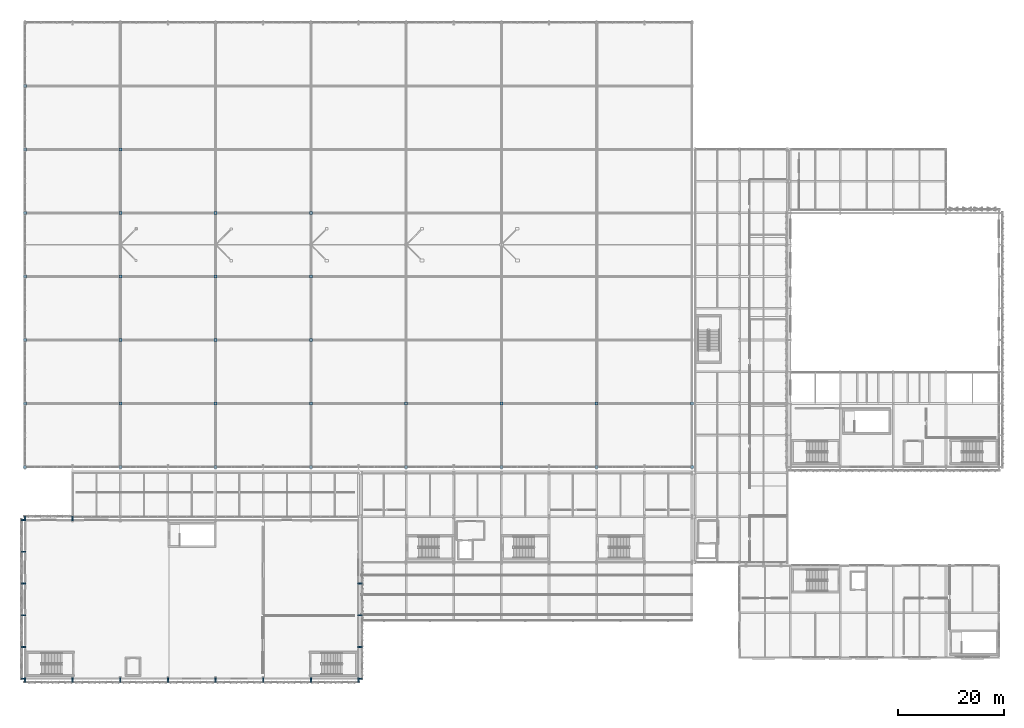
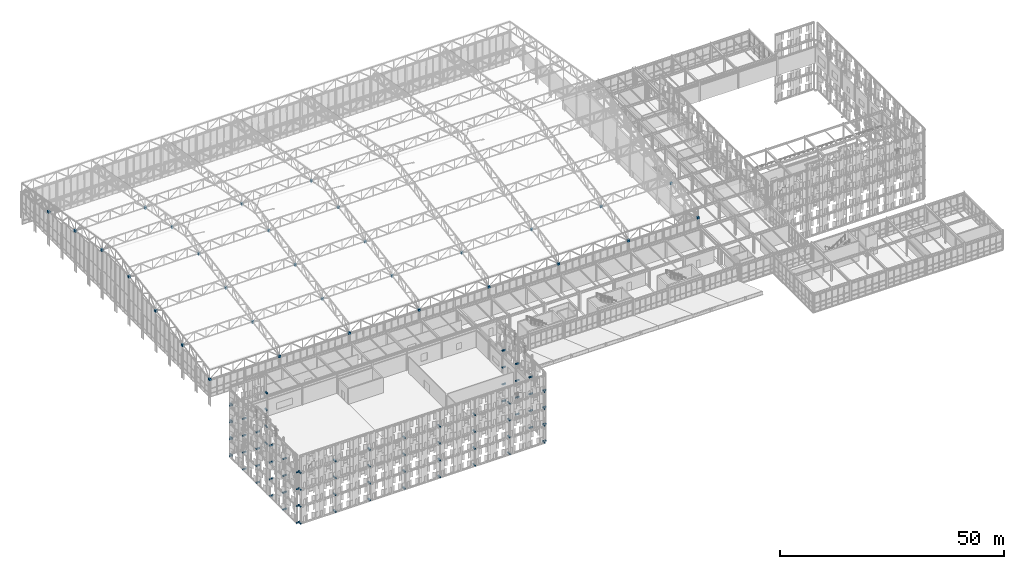
# One storey, part 211 of 239: 111 discrete accessories.
"""IFC4 building model written with IfcOpenShell, lengths in metres."""

from ifc_helpers import new_model, si_unit, direction, frame, origin, origin_2d, place, context, subcontext, project, spatial, rectangle, extrude, material, type_object, element, save


model = new_model("IFC4")

# Units and contexts
model_context = context("Model", 3, precision=1e-05, world=origin(), true_north=direction((0.0, 1.0)))
body_context = subcontext(model_context, "Body", "Model", "MODEL_VIEW")
ifc_project = project(units=[si_unit("LENGTHUNIT", "METRE"), si_unit("AREAUNIT", "SQUARE_METRE"), si_unit("VOLUMEUNIT", "CUBIC_METRE"), si_unit("PLANEANGLEUNIT", "RADIAN"), si_unit("MASSUNIT", "GRAM", prefix="KILO")], contexts=[model_context])

# Site, building, storey
site_placement = place(None, origin())
site = spatial("IfcSite", under=ifc_project, at=site_placement, CompositionType="ELEMENT")
building_placement = place(site_placement, origin())
building = spatial("IfcBuilding", under=site, at=building_placement, Name="Kaldris Quays Convention Centre", CompositionType="ELEMENT")
storey_placement = place(building_placement, frame((0.0, 0.0, 11.39990234375)))
storey = spatial("IfcBuildingStorey", under=building, at=storey_placement, Name="L02", CompositionType="ELEMENT", Elevation=11.39990234375)

# Discrete accessories
ifc_material = material(Name="Steel S355J2", Category="steel")
discrete_accessory_type_1 = type_object("IfcDiscreteAccessoryType", Name="CAST STEEL HUB SHOE HS01", PredefinedType="SHOE", material=ifc_material)
for number, where, z_axis, x_axis, name in (
    (1, (20.0, 56.0, 6.891845703125), (0.0, 0.0, 1.0), (1.0, 0.0, 0.0), "SF-V1 Bottom Hub Shoe 1"),
    (2, (20.0, 68.0, 8.948974609375), (0.0, 0.0, 1.0), (1.0, 0.0, 0.0), "SF-V1 Bottom Hub Shoe 2"),
    (3, (20.0, 80.0, 11.006103515625), (0.0, 0.0, 1.0), (1.0, 0.0, 0.0), "SF-V1 Bottom Hub Shoe 3"),
    (4, (20.0, 92.0, 13.063232421875), (0.0, 0.0, 1.0), (1.0, 0.0, 0.0), "SF-V1 Bottom Hub Shoe 4"),
    (5, (20.0, 104.0, 13.063232421875), (0.0, 0.0, 1.0), (1.0, 0.0, 0.0), "SF-V1 Bottom Hub Shoe 5"),
    (6, (20.0, 116.0, 11.006103515625), (0.0, 0.0, 1.0), (1.0, 0.0, 0.0), "SF-V1 Bottom Hub Shoe 6"),
    (7, (20.0, 128.0, 8.948974609375), (0.0, 0.0, 1.0), (1.0, 0.0, 0.0), "SF-V1 Bottom Hub Shoe 7"),
    (8, (38.0, 56.0, 6.891845703125), (0.0, 0.0, 1.0), (1.0, 0.0, 0.0), "SF-V1 Bottom Hub Shoe 9"),
    (9, (38.0, 68.0, 8.948974609375), (0.0, 0.0, 1.0), (1.0, 0.0, 0.0), "SF-V1 Bottom Hub Shoe 10"),
    (10, (38.0, 80.0, 11.006103515625), (0.0, 0.0, 1.0), (1.0, 0.0, 0.0), "SF-V1 Bottom Hub Shoe 11"),
    (11, (38.0, 92.0, 13.063232421875), (0.0, 0.0, 1.0), (1.0, 0.0, 0.0), "SF-V1 Bottom Hub Shoe 12"),
    (12, (38.0, 104.0, 13.063232421875), (0.0, 0.0, 1.0), (1.0, 0.0, 0.0), "SF-V1 Bottom Hub Shoe 13"),
    (13, (38.0, 116.0, 11.006103515625), (0.0, 0.0, 1.0), (1.0, 0.0, 0.0), "SF-V1 Bottom Hub Shoe 14"),
    (14, (56.0, 56.0, 6.891845703125), (0.0, 0.0, 1.0), (1.0, 0.0, 0.0), "SF-V1 Bottom Hub Shoe 17"),
    (15, (56.0, 68.0, 8.948974609375), (0.0, 0.0, 1.0), (1.0, 0.0, 0.0), "SF-V1 Bottom Hub Shoe 18"),
    (16, (56.0, 80.0, 11.006103515625), (0.0, 0.0, 1.0), (1.0, 0.0, 0.0), "SF-V1 Bottom Hub Shoe 19"),
    (17, (56.0, 92.0, 13.063232421875), (0.0, 0.0, 1.0), (1.0, 0.0, 0.0), "SF-V1 Bottom Hub Shoe 20"),
    (18, (56.0, 104.0, 13.063232421875), (0.0, 0.0, 1.0), (1.0, 0.0, 0.0), "SF-V1 Bottom Hub Shoe 21"),
    (19, (74.0, 56.0, 6.891845703125), (0.0, 0.0, 1.0), (1.0, 0.0, 0.0), "SF-V1 Bottom Hub Shoe 25"),
    (20, (74.0, 68.0, 8.948974609375), (0.0, 0.0, 1.0), (1.0, 0.0, 0.0), "SF-V1 Bottom Hub Shoe 26"),
    (21, (74.0, 80.0, 11.006103515625), (0.0, 0.0, 1.0), (1.0, 0.0, 0.0), "SF-V1 Bottom Hub Shoe 27"),
    (22, (74.0, 92.0, 13.063232421875), (0.0, 0.0, 1.0), (1.0, 0.0, 0.0), "SF-V1 Bottom Hub Shoe 28"),
    (23, (74.0, 104.0, 13.063232421875), (0.0, 0.0, 1.0), (1.0, 0.0, 0.0), "SF-V1 Bottom Hub Shoe 29"),
    (24, (92.0, 56.0, 6.891845703125), (0.0, 0.0, 1.0), (1.0, 0.0, 0.0), "SF-V1 Bottom Hub Shoe 33"),
    (25, (92.0, 68.0, 8.948974609375), (0.0, 0.0, 1.0), (1.0, 0.0, 0.0), "SF-V1 Bottom Hub Shoe 34"),
    (26, (110.0, 56.0, 6.891845703125), (0.0, 0.0, 1.0), (1.0, 0.0, 0.0), "SF-V1 Bottom Hub Shoe 41"),
    (27, (110.0, 68.0, 8.948974609375), (0.0, 0.0, 1.0), (1.0, 0.0, 0.0), "SF-V1 Bottom Hub Shoe 42"),
    (28, (128.0, 56.0, 6.891845703125), (0.0, 0.0, 1.0), (1.0, 0.0, 0.0), "SF-V1 Bottom Hub Shoe 49"),
    (29, (128.0, 68.0, 8.948974609375), (0.0, 0.0, 1.0), (1.0, 0.0, 0.0), "SF-V1 Bottom Hub Shoe 50"),
    (30, (146.0, 56.0, 6.891845703125), (0.0, 0.0, 1.0), (1.0, 0.0, 0.0), "SF-V1 Bottom Hub Shoe 57"),
    (31, (146.0, 68.0, 8.948974609375), (0.0, 0.0, 1.0), (1.0, 0.0, 0.0), "SF-V1 Bottom Hub Shoe 58"),
):
    element("IfcDiscreteAccessory", number, at=place(storey_placement, frame(where, z_axis=z_axis, x_axis=x_axis)), inside=storey, type_object=discrete_accessory_type_1, Name=name, PredefinedType="SHOE", context=body_context, shape_type="SweptSolid", body=[
        extrude(rectangle(XDim=0.56005859375, YDim=0.56005859375, at=origin_2d()), origin(), (0.0, 0.0, 1.0), 0.56005859375),
    ])
discrete_accessory_type_2 = type_object("IfcDiscreteAccessoryType", Name="SCREEN OUTRIGGER BRACKET BK01", PredefinedType="BRACKET", material=ifc_material)
for number, where, z_axis, x_axis, name in (
    (32, (20.0, 15.739990234375, -7.6796875), (0.0, 0.0, 1.0), (1.0, 0.0, 0.0), "V3S Screen Outrigger Bracket 418"),
    (33, (20.0, 15.739990234375, -3.080078125), (0.0, 0.0, 1.0), (1.0, 0.0, 0.0), "V3S Screen Outrigger Bracket 419"),
    (34, (20.0, 15.739990234375, 1.52001953125), (0.0, 0.0, 1.0), (1.0, 0.0, 0.0), "V3S Screen Outrigger Bracket 420"),
    (35, (20.0, 15.739990234375, 6.1201171875), (0.0, 0.0, 1.0), (1.0, 0.0, 0.0), "V3S Screen Outrigger Bracket 421"),
    (36, (29.0, 15.739990234375, -7.6796875), (0.0, 0.0, 1.0), (1.0, 0.0, 0.0), "V3S Screen Outrigger Bracket 423"),
    (37, (29.0, 15.739990234375, -3.080078125), (0.0, 0.0, 1.0), (1.0, 0.0, 0.0), "V3S Screen Outrigger Bracket 424"),
    (38, (29.0, 15.739990234375, 1.52001953125), (0.0, 0.0, 1.0), (1.0, 0.0, 0.0), "V3S Screen Outrigger Bracket 425"),
    (39, (29.0, 15.739990234375, 6.1201171875), (0.0, 0.0, 1.0), (1.0, 0.0, 0.0), "V3S Screen Outrigger Bracket 426"),
    (40, (38.0, 15.739990234375, -7.6796875), (0.0, 0.0, 1.0), (1.0, 0.0, 0.0), "V3S Screen Outrigger Bracket 428"),
    (41, (38.0, 15.739990234375, -3.080078125), (0.0, 0.0, 1.0), (1.0, 0.0, 0.0), "V3S Screen Outrigger Bracket 429"),
    (42, (38.0, 15.739990234375, 1.52001953125), (0.0, 0.0, 1.0), (1.0, 0.0, 0.0), "V3S Screen Outrigger Bracket 430"),
    (43, (38.0, 15.739990234375, 6.1201171875), (0.0, 0.0, 1.0), (1.0, 0.0, 0.0), "V3S Screen Outrigger Bracket 431"),
    (44, (47.0, 15.739990234375, -7.6796875), (0.0, 0.0, 1.0), (1.0, 0.0, 0.0), "V3S Screen Outrigger Bracket 433"),
    (45, (47.0, 15.739990234375, -3.080078125), (0.0, 0.0, 1.0), (1.0, 0.0, 0.0), "V3S Screen Outrigger Bracket 434"),
    (46, (47.0, 15.739990234375, 1.52001953125), (0.0, 0.0, 1.0), (1.0, 0.0, 0.0), "V3S Screen Outrigger Bracket 435"),
    (47, (47.0, 15.739990234375, 6.1201171875), (0.0, 0.0, 1.0), (1.0, 0.0, 0.0), "V3S Screen Outrigger Bracket 436"),
    (48, (56.0, 15.739990234375, -7.6796875), (0.0, 0.0, 1.0), (1.0, 0.0, 0.0), "V3S Screen Outrigger Bracket 438"),
    (49, (56.0, 15.739990234375, -3.080078125), (0.0, 0.0, 1.0), (1.0, 0.0, 0.0), "V3S Screen Outrigger Bracket 439"),
    (50, (56.0, 15.739990234375, 1.52001953125), (0.0, 0.0, 1.0), (1.0, 0.0, 0.0), "V3S Screen Outrigger Bracket 440"),
    (51, (56.0, 15.739990234375, 6.1201171875), (0.0, 0.0, 1.0), (1.0, 0.0, 0.0), "V3S Screen Outrigger Bracket 441"),
    (52, (65.0, 15.739990234375, -7.6796875), (0.0, 0.0, 1.0), (1.0, 0.0, 0.0), "V3S Screen Outrigger Bracket 443"),
    (53, (65.0, 15.739990234375, -3.080078125), (0.0, 0.0, 1.0), (1.0, 0.0, 0.0), "V3S Screen Outrigger Bracket 444"),
    (54, (65.0, 15.739990234375, 1.52001953125), (0.0, 0.0, 1.0), (1.0, 0.0, 0.0), "V3S Screen Outrigger Bracket 445"),
    (55, (65.0, 15.739990234375, 6.1201171875), (0.0, 0.0, 1.0), (1.0, 0.0, 0.0), "V3S Screen Outrigger Bracket 446"),
    (56, (74.0, 15.739990234375, -7.6796875), (0.0, 0.0, 1.0), (1.0, 0.0, 0.0), "V3S Screen Outrigger Bracket 448"),
    (57, (74.0, 15.739990234375, -3.080078125), (0.0, 0.0, 1.0), (1.0, 0.0, 0.0), "V3S Screen Outrigger Bracket 449"),
    (58, (74.0, 15.739990234375, 1.52001953125), (0.0, 0.0, 1.0), (1.0, 0.0, 0.0), "V3S Screen Outrigger Bracket 450"),
    (59, (74.0, 15.739990234375, 6.1201171875), (0.0, 0.0, 1.0), (1.0, 0.0, 0.0), "V3S Screen Outrigger Bracket 451"),
    (60, (83.0, 15.739990234375, -7.6796875), (0.0, 0.0, 1.0), (1.0, 0.0, 0.0), "V3S Screen Outrigger Bracket 453"),
    (61, (83.0, 15.739990234375, -3.080078125), (0.0, 0.0, 1.0), (1.0, 0.0, 0.0), "V3S Screen Outrigger Bracket 454"),
    (62, (83.0, 15.739990234375, 1.52001953125), (0.0, 0.0, 1.0), (1.0, 0.0, 0.0), "V3S Screen Outrigger Bracket 455"),
    (63, (83.0, 15.739990234375, 6.1201171875), (0.0, 0.0, 1.0), (1.0, 0.0, 0.0), "V3S Screen Outrigger Bracket 456"),
    (64, (20.0, 46.260009765625, -7.6796875), (0.0, 0.0, 1.0), (1.0, 0.0, 0.0), "V3N Screen Outrigger Bracket 463"),
    (65, (20.0, 46.260009765625, -3.080078125), (0.0, 0.0, 1.0), (1.0, 0.0, 0.0), "V3N Screen Outrigger Bracket 464"),
    (66, (20.0, 46.260009765625, 1.52001953125), (0.0, 0.0, 1.0), (1.0, 0.0, 0.0), "V3N Screen Outrigger Bracket 465"),
    (67, (20.0, 46.260009765625, 6.1201171875), (0.0, 0.0, 1.0), (1.0, 0.0, 0.0), "V3N Screen Outrigger Bracket 466"),
    (68, (29.0, 46.260009765625, -7.6796875), (0.0, 0.0, 1.0), (1.0, 0.0, 0.0), "V3N Screen Outrigger Bracket 468"),
    (69, (29.0, 46.260009765625, -3.080078125), (0.0, 0.0, 1.0), (1.0, 0.0, 0.0), "V3N Screen Outrigger Bracket 469"),
    (70, (29.0, 46.260009765625, 1.52001953125), (0.0, 0.0, 1.0), (1.0, 0.0, 0.0), "V3N Screen Outrigger Bracket 470"),
    (71, (29.0, 46.260009765625, 6.1201171875), (0.0, 0.0, 1.0), (1.0, 0.0, 0.0), "V3N Screen Outrigger Bracket 471"),
    (72, (19.739990234375, 16.0, -7.6796875), (0.0, 0.0, 1.0), (0.0, 1.0, 0.0), "V3W Screen Outrigger Bracket 502"),
    (73, (19.739990234375, 16.0, -3.080078125), (0.0, 0.0, 1.0), (0.0, 1.0, 0.0), "V3W Screen Outrigger Bracket 503"),
    (74, (19.739990234375, 16.0, 1.52001953125), (0.0, 0.0, 1.0), (0.0, 1.0, 0.0), "V3W Screen Outrigger Bracket 504"),
    (75, (19.739990234375, 16.0, 6.1201171875), (0.0, 0.0, 1.0), (0.0, 1.0, 0.0), "V3W Screen Outrigger Bracket 505"),
    (76, (19.739990234375, 22.0, -7.6796875), (0.0, 0.0, 1.0), (0.0, 1.0, 0.0), "V3W Screen Outrigger Bracket 507"),
    (77, (19.739990234375, 22.0, -3.080078125), (0.0, 0.0, 1.0), (0.0, 1.0, 0.0), "V3W Screen Outrigger Bracket 508"),
    (78, (19.739990234375, 22.0, 1.52001953125), (0.0, 0.0, 1.0), (0.0, 1.0, 0.0), "V3W Screen Outrigger Bracket 509"),
    (79, (19.739990234375, 22.0, 6.1201171875), (0.0, 0.0, 1.0), (0.0, 1.0, 0.0), "V3W Screen Outrigger Bracket 510"),
    (80, (19.739990234375, 28.0, -7.6796875), (0.0, 0.0, 1.0), (0.0, 1.0, 0.0), "V3W Screen Outrigger Bracket 512"),
    (81, (19.739990234375, 28.0, -3.080078125), (0.0, 0.0, 1.0), (0.0, 1.0, 0.0), "V3W Screen Outrigger Bracket 513"),
    (82, (19.739990234375, 28.0, 1.52001953125), (0.0, 0.0, 1.0), (0.0, 1.0, 0.0), "V3W Screen Outrigger Bracket 514"),
    (83, (19.739990234375, 28.0, 6.1201171875), (0.0, 0.0, 1.0), (0.0, 1.0, 0.0), "V3W Screen Outrigger Bracket 515"),
    (84, (19.739990234375, 34.0, -7.6796875), (0.0, 0.0, 1.0), (0.0, 1.0, 0.0), "V3W Screen Outrigger Bracket 517"),
    (85, (19.739990234375, 34.0, -3.080078125), (0.0, 0.0, 1.0), (0.0, 1.0, 0.0), "V3W Screen Outrigger Bracket 518"),
    (86, (19.739990234375, 34.0, 1.52001953125), (0.0, 0.0, 1.0), (0.0, 1.0, 0.0), "V3W Screen Outrigger Bracket 519"),
    (87, (19.739990234375, 34.0, 6.1201171875), (0.0, 0.0, 1.0), (0.0, 1.0, 0.0), "V3W Screen Outrigger Bracket 520"),
    (88, (19.739990234375, 40.0, -7.6796875), (0.0, 0.0, 1.0), (0.0, 1.0, 0.0), "V3W Screen Outrigger Bracket 522"),
    (89, (19.739990234375, 40.0, -3.080078125), (0.0, 0.0, 1.0), (0.0, 1.0, 0.0), "V3W Screen Outrigger Bracket 523"),
    (90, (19.739990234375, 40.0, 1.52001953125), (0.0, 0.0, 1.0), (0.0, 1.0, 0.0), "V3W Screen Outrigger Bracket 524"),
    (91, (19.739990234375, 40.0, 6.1201171875), (0.0, 0.0, 1.0), (0.0, 1.0, 0.0), "V3W Screen Outrigger Bracket 525"),
    (92, (19.739990234375, 46.0, -7.6796875), (0.0, 0.0, 1.0), (0.0, 1.0, 0.0), "V3W Screen Outrigger Bracket 527"),
    (93, (19.739990234375, 46.0, -3.080078125), (0.0, 0.0, 1.0), (0.0, 1.0, 0.0), "V3W Screen Outrigger Bracket 528"),
    (94, (19.739990234375, 46.0, 1.52001953125), (0.0, 0.0, 1.0), (0.0, 1.0, 0.0), "V3W Screen Outrigger Bracket 529"),
    (95, (19.739990234375, 46.0, 6.1201171875), (0.0, 0.0, 1.0), (0.0, 1.0, 0.0), "V3W Screen Outrigger Bracket 530"),
    (96, (83.260009765625, 16.0, -7.6796875), (0.0, 0.0, 1.0), (0.0, 1.0, 0.0), "V3E Screen Outrigger Bracket 540"),
    (97, (83.260009765625, 16.0, -3.080078125), (0.0, 0.0, 1.0), (0.0, 1.0, 0.0), "V3E Screen Outrigger Bracket 541"),
    (98, (83.260009765625, 16.0, 1.52001953125), (0.0, 0.0, 1.0), (0.0, 1.0, 0.0), "V3E Screen Outrigger Bracket 542"),
    (99, (83.260009765625, 16.0, 6.1201171875), (0.0, 0.0, 1.0), (0.0, 1.0, 0.0), "V3E Screen Outrigger Bracket 543"),
    (100, (83.260009765625, 22.0, -7.6796875), (0.0, 0.0, 1.0), (0.0, 1.0, 0.0), "V3E Screen Outrigger Bracket 545"),
    (101, (83.260009765625, 22.0, -3.080078125), (0.0, 0.0, 1.0), (0.0, 1.0, 0.0), "V3E Screen Outrigger Bracket 546"),
    (102, (83.260009765625, 22.0, 1.52001953125), (0.0, 0.0, 1.0), (0.0, 1.0, 0.0), "V3E Screen Outrigger Bracket 547"),
    (103, (83.260009765625, 22.0, 6.1201171875), (0.0, 0.0, 1.0), (0.0, 1.0, 0.0), "V3E Screen Outrigger Bracket 548"),
    (104, (83.260009765625, 28.0, -7.6796875), (0.0, 0.0, 1.0), (0.0, 1.0, 0.0), "V3E Screen Outrigger Bracket 550"),
    (105, (83.260009765625, 28.0, -3.080078125), (0.0, 0.0, 1.0), (0.0, 1.0, 0.0), "V3E Screen Outrigger Bracket 551"),
    (106, (83.260009765625, 28.0, 1.52001953125), (0.0, 0.0, 1.0), (0.0, 1.0, 0.0), "V3E Screen Outrigger Bracket 552"),
    (107, (83.260009765625, 28.0, 6.1201171875), (0.0, 0.0, 1.0), (0.0, 1.0, 0.0), "V3E Screen Outrigger Bracket 553"),
    (108, (83.260009765625, 34.0, -7.6796875), (0.0, 0.0, 1.0), (0.0, 1.0, 0.0), "V3E Screen Outrigger Bracket 555"),
    (109, (83.260009765625, 34.0, -3.080078125), (0.0, 0.0, 1.0), (0.0, 1.0, 0.0), "V3E Screen Outrigger Bracket 556"),
    (110, (83.260009765625, 34.0, 1.52001953125), (0.0, 0.0, 1.0), (0.0, 1.0, 0.0), "V3E Screen Outrigger Bracket 557"),
    (111, (83.260009765625, 34.0, 6.1201171875), (0.0, 0.0, 1.0), (0.0, 1.0, 0.0), "V3E Screen Outrigger Bracket 558"),
):
    element("IfcDiscreteAccessory", number, at=place(storey_placement, frame(where, z_axis=z_axis, x_axis=x_axis)), inside=storey, type_object=discrete_accessory_type_2, Name=name, PredefinedType="BRACKET", context=body_context, shape_type="SweptSolid", body=[
        extrude(rectangle(XDim=0.260009765625, YDim=0.8798828125, at=origin_2d()), origin(), (0.0, 0.0, 1.0), 0.260009765625),
    ])

save(model, "model.ifc")
